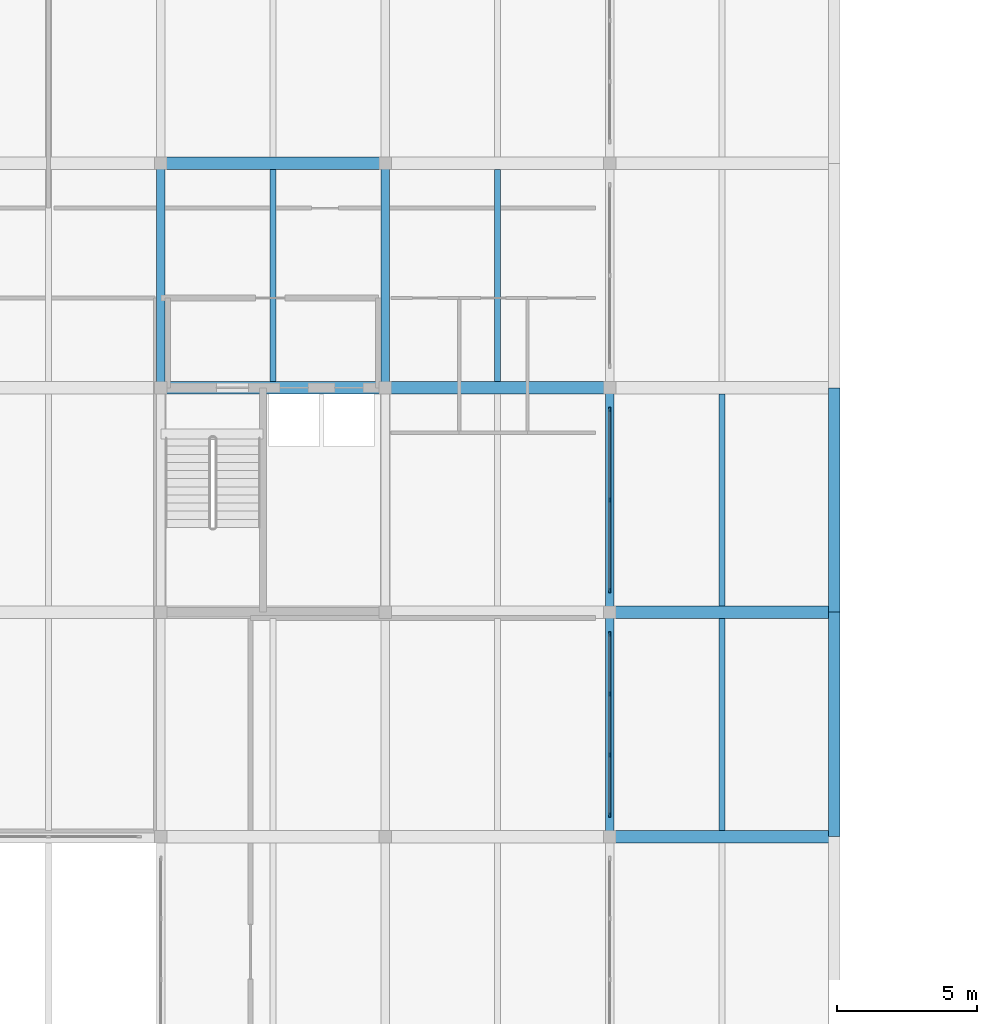
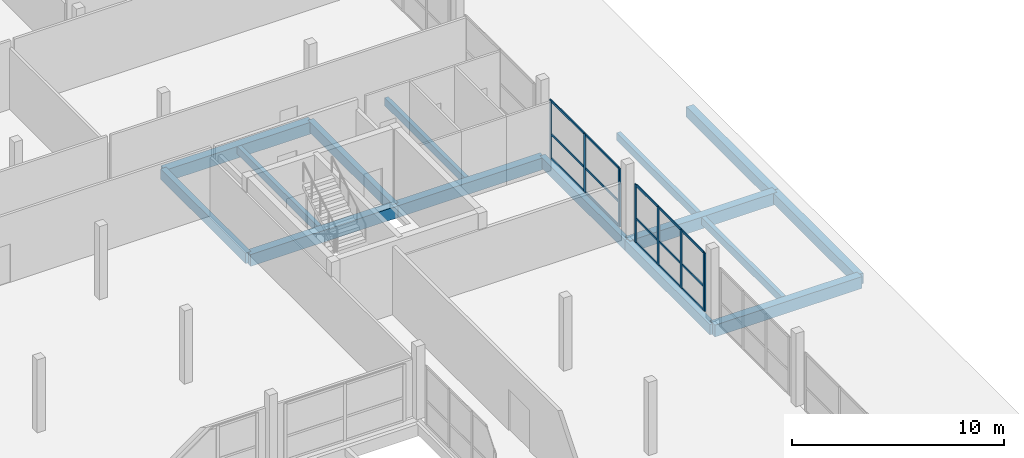
# One storey, part 14 of 53: 22 members, 15 beams, 2 elements without a shape of their own.
"""IFC4 building model written with IfcOpenShell, lengths in metres."""

from ifc_helpers import new_model, si_unit, direction, frame, origin, origin_2d, place, context, subcontext, project, spatial, rectangle, extrude, material, material_profile, profile_set, type_object, element, aggregate, save


model = new_model("IFC4")

# Units and contexts
model_context = context("Model", 3, precision=1e-05, world=origin(), true_north=direction((0.0, 1.0)))
body_context = subcontext(model_context, "Body", "Model", "MODEL_VIEW")
ifc_project = project(units=[si_unit("LENGTHUNIT", "METRE"), si_unit("AREAUNIT", "SQUARE_METRE"), si_unit("VOLUMEUNIT", "CUBIC_METRE"), si_unit("PLANEANGLEUNIT", "RADIAN"), si_unit("MASSUNIT", "GRAM", prefix="KILO")], contexts=[model_context])

# Site, building, storey
site_placement = place(None, origin())
site = spatial("IfcSite", under=ifc_project, at=site_placement, CompositionType="ELEMENT")
building_placement = place(site_placement, origin())
building = spatial("IfcBuilding", under=site, at=building_placement, Name="Vharandega Faculty of Natural Sciences", CompositionType="ELEMENT")
storey_placement = place(building_placement, frame((0.0, 0.0, 10.199951171875)))
storey = spatial("IfcBuildingStorey", under=building, at=storey_placement, Name="L02", CompositionType="ELEMENT", Elevation=10.199951171875)

# Curtain wall, members
ifc_material_1 = material(Name="Aluminium and solar-control glass curtain wall", Category="aluminium")
curtain_wall_type_1 = type_object("IfcCurtainWallType", Name="Unitised Curtain Wall System CW-26", PredefinedType="NOTDEFINED", material=ifc_material_1)
curtain_wall_1_placement = place(storey_placement, origin())
curtain_wall_1 = element("IfcCurtainWall", 1, at=curtain_wall_1_placement, inside=storey, type_object=curtain_wall_type_1, Name="Curtain Wall CW-L02-137", PredefinedType="NOTDEFINED")
ifc_material_2 = material(Name="Thermally broken aluminium 6063-T6", Category="aluminium")
ifc_material_profile_1 = material_profile(ifc_material_2, rectangle(XDim=0.06005859375, YDim=0.159912109375, at=origin_2d()), Name="ALU 60x160")
ifc_profile_set_1 = profile_set([ifc_material_profile_1], Name="Thermally broken aluminium 6063-T6")
member_type_1 = type_object("IfcMemberType", Name="CW Mullion 60x160", PredefinedType="MULLION", material=ifc_profile_set_1)
member_1_placement = place(storey_placement, frame((48.0, 32.77001953125, 0.0), z_axis=(0.0, 0.0, 1.0), x_axis=(-1.0, 0.0, 0.0)))
member_1 = element("IfcMember", 2, at=member_1_placement, type_object=member_type_1, Name="CW-26 mullion 1", PredefinedType="MULLION", context=body_context, shape_type="SweptSolid", body=[
    extrude(rectangle(XDim=0.06005859375, YDim=0.159912109375, at=origin_2d()), origin(), (0.0, 0.0, 1.0), 3.360107421875),
])
member_2_placement = place(storey_placement, frame((48.0, 34.913330078125, 0.0), z_axis=(0.0, 0.0, 1.0), x_axis=(-1.0, 0.0, 0.0)))
member_2 = element("IfcMember", 3, at=member_2_placement, type_object=member_type_1, Name="CW-26 mullion 2", PredefinedType="MULLION", context=body_context, shape_type="SweptSolid", body=[
    extrude(rectangle(XDim=0.06005859375, YDim=0.159912109375, at=origin_2d()), origin(), (0.0, 0.0, 1.0), 3.360107421875),
])
member_3_placement = place(storey_placement, frame((48.0, 37.086669921875, 0.0), z_axis=(0.0, 0.0, 1.0), x_axis=(-1.0, 0.0, 0.0)))
member_3 = element("IfcMember", 4, at=member_3_placement, type_object=member_type_1, Name="CW-26 mullion 3", PredefinedType="MULLION", context=body_context, shape_type="SweptSolid", body=[
    extrude(rectangle(XDim=0.06005859375, YDim=0.159912109375, at=origin_2d()), origin(), (0.0, 0.0, 1.0), 3.360107421875),
])
member_4_placement = place(storey_placement, frame((48.0, 39.22998046875, 0.0), z_axis=(0.0, 0.0, 1.0), x_axis=(-1.0, 0.0, 0.0)))
member_4 = element("IfcMember", 5, at=member_4_placement, type_object=member_type_1, Name="CW-26 mullion 4", PredefinedType="MULLION", context=body_context, shape_type="SweptSolid", body=[
    extrude(rectangle(XDim=0.06005859375, YDim=0.159912109375, at=origin_2d()), origin(), (0.0, 0.0, 1.0), 3.360107421875),
])

ifc_material_3 = material(Name="Aluminium and solar-control glass curtain wall", Category="aluminium")
curtain_wall_type_2 = type_object("IfcCurtainWallType", Name="Unitised Curtain Wall System CW-27", PredefinedType="NOTDEFINED", material=ifc_material_3)
curtain_wall_2_placement = place(storey_placement, origin())
curtain_wall_2 = element("IfcCurtainWall", 6, at=curtain_wall_2_placement, inside=storey, type_object=curtain_wall_type_2, Name="Curtain Wall CW-L02-138", PredefinedType="NOTDEFINED")
member_5_placement = place(storey_placement, frame((48.0, 40.77001953125, 0.0), z_axis=(0.0, 0.0, 1.0), x_axis=(-1.0, 0.0, 0.0)))
member_5 = element("IfcMember", 7, at=member_5_placement, type_object=member_type_1, Name="CW-27 mullion 1", PredefinedType="MULLION", context=body_context, shape_type="SweptSolid", body=[
    extrude(rectangle(XDim=0.06005859375, YDim=0.159912109375, at=origin_2d()), origin(), (0.0, 0.0, 1.0), 3.360107421875),
])
member_6_placement = place(storey_placement, frame((48.0, 44.0, 0.0), z_axis=(0.0, 0.0, 1.0), x_axis=(-1.0, 0.0, 0.0)))
member_6 = element("IfcMember", 8, at=member_6_placement, type_object=member_type_1, Name="CW-27 mullion 2", PredefinedType="MULLION", context=body_context, shape_type="SweptSolid", body=[
    extrude(rectangle(XDim=0.06005859375, YDim=0.159912109375, at=origin_2d()), origin(), (0.0, 0.0, 1.0), 3.360107421875),
])
member_7_placement = place(storey_placement, frame((48.0, 47.22998046875, 0.0), z_axis=(0.0, 0.0, 1.0), x_axis=(-1.0, 0.0, 0.0)))
member_7 = element("IfcMember", 9, at=member_7_placement, type_object=member_type_1, Name="CW-27 mullion 3", PredefinedType="MULLION", context=body_context, shape_type="SweptSolid", body=[
    extrude(rectangle(XDim=0.06005859375, YDim=0.159912109375, at=origin_2d()), origin(), (0.0, 0.0, 1.0), 3.360107421875),
])

# Member
ifc_material_4 = material(Name="Thermally broken aluminium 6063-T6", Category="aluminium")
ifc_material_profile_2 = material_profile(ifc_material_4, rectangle(XDim=0.06005859375, YDim=0.1201171875, at=origin_2d()), Name="ALU 60x120")
ifc_profile_set_2 = profile_set([ifc_material_profile_2], Name="Thermally broken aluminium 6063-T6")
member_type_2 = type_object("IfcMemberType", Name="CW Transom 60x120", PredefinedType="USERDEFINED", material=ifc_profile_set_2)
member_8_placement = place(storey_placement, frame((48.0, 32.800048828125, 0.030029296875), z_axis=(0.0, 1.0, 0.0), x_axis=(-1.0, 0.0, 0.0)))
member_8 = element("IfcMember", 10, at=member_8_placement, type_object=member_type_2, Name="CW-26 transom 1.1", ObjectType="TRANSOM", PredefinedType="USERDEFINED", context=body_context, shape_type="SweptSolid", body=[
    extrude(rectangle(XDim=0.06005859375, YDim=0.1201171875, at=origin_2d()), origin(), (0.0, 0.0, 1.0), 2.083251953125),
])

member_9_placement = place(storey_placement, frame((48.0, 32.800048828125, 1.4111328125), z_axis=(0.0, 1.0, 0.0), x_axis=(-1.0, 0.0, 0.0)))
member_9 = element("IfcMember", 11, at=member_9_placement, type_object=member_type_2, Name="CW-26 transom 1.2", ObjectType="TRANSOM", PredefinedType="USERDEFINED", context=body_context, shape_type="SweptSolid", body=[
    extrude(rectangle(XDim=0.06005859375, YDim=0.1201171875, at=origin_2d()), origin(), (0.0, 0.0, 1.0), 2.083251953125),
])

member_10_placement = place(storey_placement, frame((48.0, 32.800048828125, 3.330078125), z_axis=(0.0, 1.0, 0.0), x_axis=(-1.0, 0.0, 0.0)))
member_10 = element("IfcMember", 12, at=member_10_placement, type_object=member_type_2, Name="CW-26 transom 1.3", ObjectType="TRANSOM", PredefinedType="USERDEFINED", context=body_context, shape_type="SweptSolid", body=[
    extrude(rectangle(XDim=0.06005859375, YDim=0.1201171875, at=origin_2d()), origin(), (0.0, 0.0, 1.0), 2.083251953125),
])

member_11_placement = place(storey_placement, frame((48.0, 34.943359375, 0.030029296875), z_axis=(0.0, 1.0, 0.0), x_axis=(-1.0, 0.0, 0.0)))
member_11 = element("IfcMember", 13, at=member_11_placement, type_object=member_type_2, Name="CW-26 transom 2.1", ObjectType="TRANSOM", PredefinedType="USERDEFINED", context=body_context, shape_type="SweptSolid", body=[
    extrude(rectangle(XDim=0.06005859375, YDim=0.1201171875, at=origin_2d()), origin(), (0.0, 0.0, 1.0), 2.11328125),
])

member_12_placement = place(storey_placement, frame((48.0, 34.943359375, 1.4111328125), z_axis=(0.0, 1.0, 0.0), x_axis=(-1.0, 0.0, 0.0)))
member_12 = element("IfcMember", 14, at=member_12_placement, type_object=member_type_2, Name="CW-26 transom 2.2", ObjectType="TRANSOM", PredefinedType="USERDEFINED", context=body_context, shape_type="SweptSolid", body=[
    extrude(rectangle(XDim=0.06005859375, YDim=0.1201171875, at=origin_2d()), origin(), (0.0, 0.0, 1.0), 2.11328125),
])

member_13_placement = place(storey_placement, frame((48.0, 34.943359375, 3.330078125), z_axis=(0.0, 1.0, 0.0), x_axis=(-1.0, 0.0, 0.0)))
member_13 = element("IfcMember", 15, at=member_13_placement, type_object=member_type_2, Name="CW-26 transom 2.3", ObjectType="TRANSOM", PredefinedType="USERDEFINED", context=body_context, shape_type="SweptSolid", body=[
    extrude(rectangle(XDim=0.06005859375, YDim=0.1201171875, at=origin_2d()), origin(), (0.0, 0.0, 1.0), 2.11328125),
])

member_14_placement = place(storey_placement, frame((48.0, 37.11669921875, 0.030029296875), z_axis=(0.0, 1.0, 0.0), x_axis=(-1.0, 0.0, 0.0)))
member_14 = element("IfcMember", 16, at=member_14_placement, type_object=member_type_2, Name="CW-26 transom 3.1", ObjectType="TRANSOM", PredefinedType="USERDEFINED", context=body_context, shape_type="SweptSolid", body=[
    extrude(rectangle(XDim=0.06005859375, YDim=0.1201171875, at=origin_2d()), origin(), (0.0, 0.0, 1.0), 2.083251953125),
])

member_15_placement = place(storey_placement, frame((48.0, 37.11669921875, 1.4111328125), z_axis=(0.0, 1.0, 0.0), x_axis=(-1.0, 0.0, 0.0)))
member_15 = element("IfcMember", 17, at=member_15_placement, type_object=member_type_2, Name="CW-26 transom 3.2", ObjectType="TRANSOM", PredefinedType="USERDEFINED", context=body_context, shape_type="SweptSolid", body=[
    extrude(rectangle(XDim=0.06005859375, YDim=0.1201171875, at=origin_2d()), origin(), (0.0, 0.0, 1.0), 2.083251953125),
])

member_16_placement = place(storey_placement, frame((48.0, 37.11669921875, 3.330078125), z_axis=(0.0, 1.0, 0.0), x_axis=(-1.0, 0.0, 0.0)))
member_16 = element("IfcMember", 18, at=member_16_placement, type_object=member_type_2, Name="CW-26 transom 3.3", ObjectType="TRANSOM", PredefinedType="USERDEFINED", context=body_context, shape_type="SweptSolid", body=[
    extrude(rectangle(XDim=0.06005859375, YDim=0.1201171875, at=origin_2d()), origin(), (0.0, 0.0, 1.0), 2.083251953125),
])

aggregate(curtain_wall_1, [member_1, member_2, member_3, member_4, member_8, member_9, member_10, member_11, member_12, member_13, member_14, member_15, member_16])

member_17_placement = place(storey_placement, frame((48.0, 40.800048828125, 0.030029296875), z_axis=(0.0, 1.0, 0.0), x_axis=(-1.0, 0.0, 0.0)))
member_17 = element("IfcMember", 19, at=member_17_placement, type_object=member_type_2, Name="CW-27 transom 1.1", ObjectType="TRANSOM", PredefinedType="USERDEFINED", context=body_context, shape_type="SweptSolid", body=[
    extrude(rectangle(XDim=0.06005859375, YDim=0.1201171875, at=origin_2d()), origin(), (0.0, 0.0, 1.0), 3.169921875),
])

member_18_placement = place(storey_placement, frame((48.0, 40.800048828125, 1.4111328125), z_axis=(0.0, 1.0, 0.0), x_axis=(-1.0, 0.0, 0.0)))
member_18 = element("IfcMember", 20, at=member_18_placement, type_object=member_type_2, Name="CW-27 transom 1.2", ObjectType="TRANSOM", PredefinedType="USERDEFINED", context=body_context, shape_type="SweptSolid", body=[
    extrude(rectangle(XDim=0.06005859375, YDim=0.1201171875, at=origin_2d()), origin(), (0.0, 0.0, 1.0), 3.169921875),
])

member_19_placement = place(storey_placement, frame((48.0, 40.800048828125, 3.330078125), z_axis=(0.0, 1.0, 0.0), x_axis=(-1.0, 0.0, 0.0)))
member_19 = element("IfcMember", 21, at=member_19_placement, type_object=member_type_2, Name="CW-27 transom 1.3", ObjectType="TRANSOM", PredefinedType="USERDEFINED", context=body_context, shape_type="SweptSolid", body=[
    extrude(rectangle(XDim=0.06005859375, YDim=0.1201171875, at=origin_2d()), origin(), (0.0, 0.0, 1.0), 3.169921875),
])

member_20_placement = place(storey_placement, frame((48.0, 44.030029296875, 0.030029296875), z_axis=(0.0, 1.0, 0.0), x_axis=(-1.0, 0.0, 0.0)))
member_20 = element("IfcMember", 22, at=member_20_placement, type_object=member_type_2, Name="CW-27 transom 2.1", ObjectType="TRANSOM", PredefinedType="USERDEFINED", context=body_context, shape_type="SweptSolid", body=[
    extrude(rectangle(XDim=0.06005859375, YDim=0.1201171875, at=origin_2d()), origin(), (0.0, 0.0, 1.0), 3.169921875),
])

member_21_placement = place(storey_placement, frame((48.0, 44.030029296875, 1.4111328125), z_axis=(0.0, 1.0, 0.0), x_axis=(-1.0, 0.0, 0.0)))
member_21 = element("IfcMember", 23, at=member_21_placement, type_object=member_type_2, Name="CW-27 transom 2.2", ObjectType="TRANSOM", PredefinedType="USERDEFINED", context=body_context, shape_type="SweptSolid", body=[
    extrude(rectangle(XDim=0.06005859375, YDim=0.1201171875, at=origin_2d()), origin(), (0.0, 0.0, 1.0), 3.169921875),
])

member_22_placement = place(storey_placement, frame((48.0, 44.030029296875, 3.330078125), z_axis=(0.0, 1.0, 0.0), x_axis=(-1.0, 0.0, 0.0)))
member_22 = element("IfcMember", 24, at=member_22_placement, type_object=member_type_2, Name="CW-27 transom 2.3", ObjectType="TRANSOM", PredefinedType="USERDEFINED", context=body_context, shape_type="SweptSolid", body=[
    extrude(rectangle(XDim=0.06005859375, YDim=0.1201171875, at=origin_2d()), origin(), (0.0, 0.0, 1.0), 3.169921875),
])

aggregate(curtain_wall_2, [member_5, member_6, member_7, member_17, member_18, member_19, member_20, member_21, member_22])

# Beams
ifc_material_5 = material(Name="Glulam GL28h", Category="wood")
ifc_material_profile_3 = material_profile(ifc_material_5, rectangle(XDim=0.300048828125, YDim=0.60009765625, at=origin_2d()), Name="GL28h 300x600")
ifc_profile_set_3 = profile_set([ifc_material_profile_3], Name="Glulam GL28h")
beam_type_1 = type_object("IfcBeamType", Name="Glulam Floor Beam 300x600", PredefinedType="BEAM", material=ifc_profile_set_3)
for number, where, z_axis, x_axis, name in (
    (25, (32.0, 48.0, -0.579833984375), (0.0, 1.0, 0.0), (-1.0, 0.0, 0.0), "Beam L02 5/G-H"),
    (26, (40.0, 48.0, -0.579833984375), (0.0, 1.0, 0.0), (-1.0, 0.0, 0.0), "Beam L02 6/G-H"),
    (27, (48.0, 32.0, -0.579833984375), (0.0, 1.0, 0.0), (-1.0, 0.0, 0.0), "Beam L02 7/E-F"),
    (28, (48.0, 40.0, -0.579833984375), (0.0, 1.0, 0.0), (-1.0, 0.0, 0.0), "Beam L02 7/F-G"),
):
    element("IfcBeam", number, at=place(storey_placement, frame(where, z_axis=z_axis, x_axis=x_axis)), inside=storey, type_object=beam_type_1, Name=name, PredefinedType="BEAM", context=body_context, shape_type="SweptSolid", body=[
        extrude(rectangle(XDim=0.300048828125, YDim=0.60009765625, at=origin_2d()), origin(), (0.0, 0.0, 1.0), 8.0),
    ])
ifc_material_6 = material(Name="Glulam GL32h", Category="wood")
ifc_material_profile_4 = material_profile(ifc_material_6, rectangle(XDim=0.43994140625, YDim=0.679931640625, at=origin_2d()), Name="GL32h 440x680")
ifc_profile_set_4 = profile_set([ifc_material_profile_4], Name="Glulam GL32h")
beam_type_2 = type_object("IfcBeamType", Name="Glulam Girder 440x680", PredefinedType="BEAM", material=ifc_profile_set_4)
for number, where, z_axis, x_axis, name in (
    (29, (48.0, 32.0, -0.579833984375), (1.0, 0.0, 0.0), (0.0, 1.0, 0.0), "Beam L02 E/7-8"),
    (30, (48.0, 40.0, -0.579833984375), (1.0, 0.0, 0.0), (0.0, 1.0, 0.0), "Beam L02 F/7-8"),
    (31, (32.0, 48.0, -0.619873046875), (1.0, 0.0, 0.0), (0.0, 1.0, 0.0), "Beam L02 G/5-6"),
    (32, (40.0, 48.0, -0.619873046875), (1.0, 0.0, 0.0), (0.0, 1.0, 0.0), "Beam L02 G/6-7"),
    (33, (32.0, 56.0, -0.619873046875), (1.0, 0.0, 0.0), (0.0, 1.0, 0.0), "Beam L02 H/5-6"),
):
    element("IfcBeam", number, at=place(storey_placement, frame(where, z_axis=z_axis, x_axis=x_axis)), inside=storey, type_object=beam_type_2, Name=name, PredefinedType="BEAM", context=body_context, shape_type="SweptSolid", body=[
        extrude(rectangle(XDim=0.43994140625, YDim=0.679931640625, at=origin_2d()), origin(), (0.0, 0.0, 1.0), 8.0),
    ])
ifc_material_7 = material(Name="Glulam GL28h", Category="wood")
ifc_material_profile_5 = material_profile(ifc_material_7, rectangle(XDim=0.219970703125, YDim=0.43994140625, at=origin_2d()), Name="GL28h 220x440")
ifc_profile_set_5 = profile_set([ifc_material_profile_5], Name="Glulam GL28h")
beam_type_3 = type_object("IfcBeamType", Name="Glulam Secondary Joist 220x440", PredefinedType="JOIST", material=ifc_profile_set_5)
for number, where, z_axis, x_axis, name in (
    (34, (36.0, 48.219970703125, -0.5), (0.0, 1.0, 0.0), (-1.0, 0.0, 0.0), "Secondary Joist L02 5-6/G-H"),
    (35, (44.0, 48.219970703125, -0.5), (0.0, 1.0, 0.0), (-1.0, 0.0, 0.0), "Secondary Joist L02 6-7/G-H"),
    (36, (52.0, 32.219970703125, -0.4599609375), (0.0, 1.0, 0.0), (-1.0, 0.0, 0.0), "Secondary Joist L02 7-8/E-F"),
    (37, (52.0, 40.219970703125, -0.4599609375), (0.0, 1.0, 0.0), (-1.0, 0.0, 0.0), "Secondary Joist L02 7-8/F-G"),
):
    element("IfcBeam", number, at=place(storey_placement, frame(where, z_axis=z_axis, x_axis=x_axis)), inside=storey, type_object=beam_type_3, Name=name, PredefinedType="JOIST", context=body_context, shape_type="SweptSolid", body=[
        extrude(rectangle(XDim=0.219970703125, YDim=0.43994140625, at=origin_2d()), origin(), (0.0, 0.0, 1.0), 7.56005859375),
    ])
ifc_material_8 = material(Name="Glulam GL32h", Category="wood")
ifc_material_profile_6 = material_profile(ifc_material_8, rectangle(XDim=0.39990234375, YDim=0.60009765625, at=origin_2d()), Name="GL32h 400x600")
ifc_profile_set_6 = profile_set([ifc_material_profile_6], Name="Glulam GL32h")
beam_type_4 = type_object("IfcBeamType", Name="Glulam Spine Girder 400x600", PredefinedType="BEAM", material=ifc_profile_set_6)
for number, where, z_axis, x_axis, name in (
    (38, (56.0, 32.0, -0.5400390625), (0.0, 1.0, 0.0), (-1.0, 0.0, 0.0), "Beam L02 8/E-F"),
    (39, (56.0, 40.0, -0.5400390625), (0.0, 1.0, 0.0), (-1.0, 0.0, 0.0), "Beam L02 8/F-G"),
):
    element("IfcBeam", number, at=place(storey_placement, frame(where, z_axis=z_axis, x_axis=x_axis)), inside=storey, type_object=beam_type_4, Name=name, PredefinedType="BEAM", context=body_context, shape_type="SweptSolid", body=[
        extrude(rectangle(XDim=0.39990234375, YDim=0.60009765625, at=origin_2d()), origin(), (0.0, 0.0, 1.0), 8.0),
    ])

save(model, "model.ifc")
